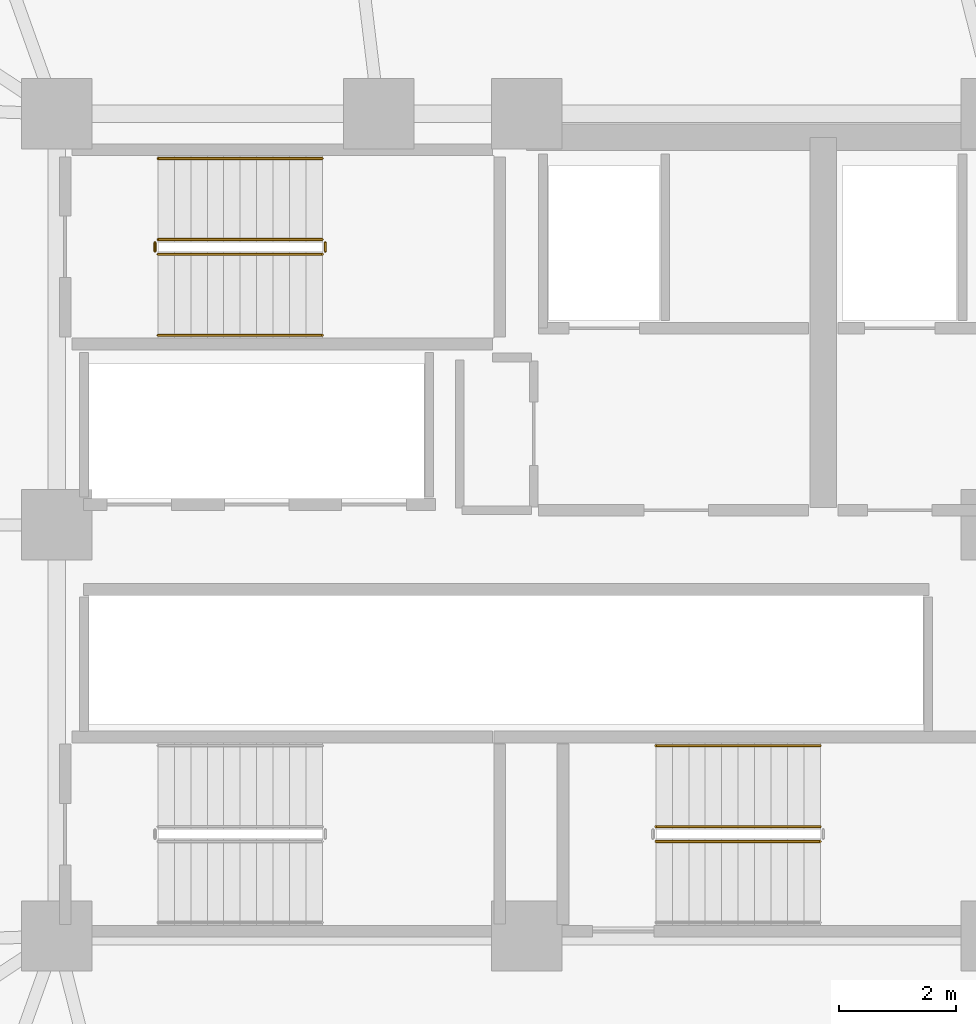
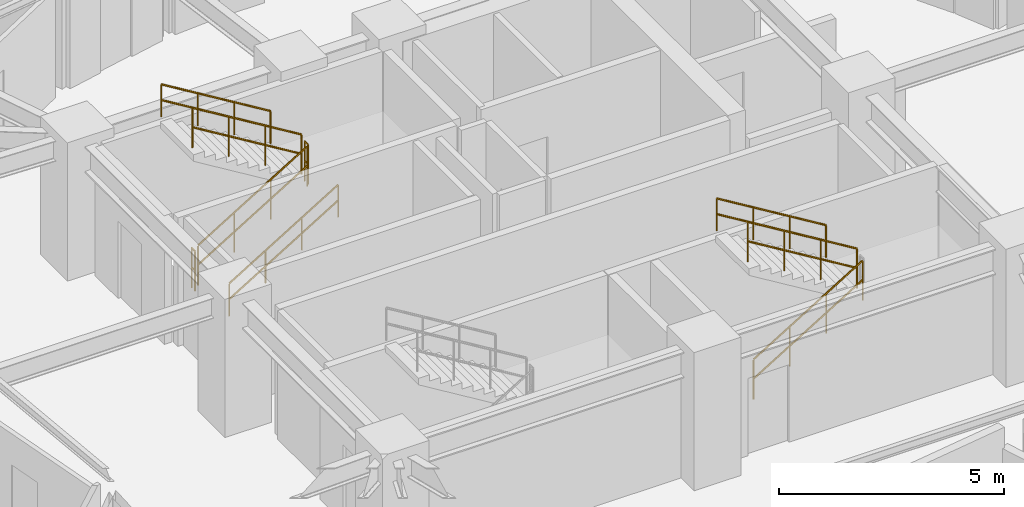
# One storey, part 35 of 37: 9 railings.
"""IFC4 building model written with IfcOpenShell, lengths in metres."""

from ifc_helpers import new_model, si_unit, direction, frame, origin, place, context, subcontext, project, spatial, polyline, outline, extrude, material, type_object, element, save


model = new_model("IFC4")

# Units and contexts
model_context = context("Model", 3, precision=1e-05, world=origin(), true_north=direction((0.0, 1.0)))
body_context = subcontext(model_context, "Body", "Model", "MODEL_VIEW")
ifc_project = project(units=[si_unit("LENGTHUNIT", "METRE"), si_unit("AREAUNIT", "SQUARE_METRE"), si_unit("VOLUMEUNIT", "CUBIC_METRE"), si_unit("PLANEANGLEUNIT", "RADIAN"), si_unit("MASSUNIT", "GRAM", prefix="KILO")], contexts=[model_context])

# Site, building, storey
site_placement = place(None, origin())
site = spatial("IfcSite", under=ifc_project, at=site_placement, CompositionType="ELEMENT")
building_placement = place(site_placement, origin())
building = spatial("IfcBuilding", under=site, at=building_placement, Name="Kelanora Arch Commons", CompositionType="ELEMENT")
storey_placement = place(building_placement, frame((0.0, 0.0, 110.10009765625)))
storey = spatial("IfcBuildingStorey", under=building, at=storey_placement, Name="L28", CompositionType="ELEMENT", Elevation=110.10009765625)

# Railings
ifc_material_1 = material(Name="Painted steel stair well guard", Category="steel")
railing_type_1 = type_object("IfcRailingType", Name="RAIL-STAIR-GRD", PredefinedType="GUARDRAIL", material=ifc_material_1)
railing_1_placement = place(storey_placement, frame((67.719970703125, 62.610107421875, 0.17041015625)))
element("IfcRailing", 1, at=railing_1_placement, inside=storey, type_object=railing_type_1, Name="L28 ST-T1 stair guard 1", PredefinedType="GUARDRAIL", context=body_context, shape_type="SweptSolid", body=[
    extrude(outline(polyline([(0.02392578125, 0.0), (0.011962890625, 0.020751953125), (-0.011962890625, 0.020751953125), (-0.02392578125, 0.0), (-0.011962890625, -0.020751953125), (0.011962890625, -0.020751953125), (0.02392578125, 0.0)])), frame((0.0, 0.0, 1.076171875), z_axis=(0.854169791009, 0.0, 0.51999420009), x_axis=(0.0, 1.0, 0.0)), (0.0, 0.0, 1.0), 3.278076171875),
    extrude(outline(polyline([(0.02392578125, 0.0), (0.011962890625, 0.020751953125), (-0.011962890625, 0.020751953125), (-0.02392578125, 0.0), (-0.011962890625, -0.020751953125), (0.011962890625, -0.020751953125), (0.02392578125, 0.0)])), frame((0.0, 0.0, 0.550048828125), z_axis=(0.854169791009, 0.0, 0.51999420009), x_axis=(0.0, 1.0, 0.0)), (0.0, 0.0, 1.0), 3.278076171875),
    extrude(outline(polyline([(0.02099609375, 0.0), (0.010498046875, 0.01806640625), (-0.010498046875, 0.01806640625), (-0.02099609375, 0.0), (-0.010498046875, -0.01806640625), (0.010498046875, -0.01806640625), (0.02099609375, 0.0)])), origin(), (0.0, 0.0, 1.0), 1.052001953125),
    extrude(outline(polyline([(0.02099609375, 0.0), (0.010498046875, 0.01806640625), (-0.010498046875, 0.01806640625), (-0.02099609375, 0.0), (-0.010498046875, -0.01806640625), (0.010498046875, -0.01806640625), (0.02099609375, 0.0)])), frame((0.933349609375, 0.0, 0.568115234375)), (0.0, 0.0, 1.0), 1.052001953125),
    extrude(outline(polyline([(0.02099609375, 0.0), (0.010498046875, 0.01806640625), (-0.010498046875, 0.01806640625), (-0.02099609375, 0.0), (-0.010498046875, -0.01806640625), (0.010498046875, -0.01806640625), (0.02099609375, 0.0)])), frame((1.86669921875, 0.0, 1.136474609375)), (0.0, 0.0, 1.0), 1.052001953125),
    extrude(outline(polyline([(0.02099609375, 0.0), (0.010498046875, 0.01806640625), (-0.010498046875, 0.01806640625), (-0.02099609375, 0.0), (-0.010498046875, -0.01806640625), (0.010498046875, -0.01806640625), (0.02099609375, 0.0)])), frame((2.800048828125, 0.0, 1.70458984375)), (0.0, 0.0, 1.0), 1.052001953125),
])
railing_2_placement = place(storey_placement, frame((70.570068359375, 62.659912109375, 1.875)))
element("IfcRailing", 2, at=railing_2_placement, inside=storey, type_object=railing_type_1, Name="L28 ST-T1 stair guard 2", PredefinedType="GUARDRAIL", context=body_context, shape_type="SweptSolid", body=[
    extrude(outline(polyline([(0.02392578125, 0.0), (0.011962890625, 0.020751953125), (-0.011962890625, 0.020751953125), (-0.02392578125, 0.0), (-0.011962890625, -0.020751953125), (0.011962890625, -0.020751953125), (0.02392578125, 0.0)])), frame((0.0, 0.0, 1.076171875), z_axis=(0.0, 1.0, 0.0), x_axis=(-1.0, 0.0, 0.0)), (0.0, 0.0, 1.0), 0.150146484375),
    extrude(outline(polyline([(0.02392578125, 0.0), (0.011962890625, 0.020751953125), (-0.011962890625, 0.020751953125), (-0.02392578125, 0.0), (-0.011962890625, -0.020751953125), (0.011962890625, -0.020751953125), (0.02392578125, 0.0)])), frame((0.0, 0.0, 0.550048828125), z_axis=(0.0, 1.0, 0.0), x_axis=(-1.0, 0.0, 0.0)), (0.0, 0.0, 1.0), 0.150146484375),
    extrude(outline(polyline([(0.02099609375, 0.0), (0.010498046875, 0.01806640625), (-0.010498046875, 0.01806640625), (-0.02099609375, 0.0), (-0.010498046875, -0.01806640625), (0.010498046875, -0.01806640625), (0.02099609375, 0.0)])), origin(), (0.0, 0.0, 1.0), 1.052001953125),
    extrude(outline(polyline([(0.02099609375, 0.0), (0.010498046875, 0.01806640625), (-0.010498046875, 0.01806640625), (-0.02099609375, 0.0), (-0.010498046875, -0.01806640625), (0.010498046875, -0.01806640625), (0.02099609375, 0.0)])), frame((0.0, 0.150146484375, 0.0)), (0.0, 0.0, 1.0), 1.052001953125),
])
railing_3_placement = place(storey_placement, frame((70.52001953125, 62.860107421875, 2.04541015625)))
element("IfcRailing", 3, at=railing_3_placement, inside=storey, type_object=railing_type_1, Name="L28 ST-T1 stair guard 3", PredefinedType="GUARDRAIL", context=body_context, shape_type="SweptSolid", body=[
    extrude(outline(polyline([(0.02392578125, 0.0), (0.011962890625, 0.020751953125), (-0.011962890625, 0.020751953125), (-0.02392578125, 0.0), (-0.011962890625, -0.020751953125), (0.011962890625, -0.020751953125), (0.02392578125, 0.0)])), frame((0.0, 0.0, 1.076171875), z_axis=(-0.854169791009, 0.0, 0.51999420009), x_axis=(0.0, -1.0, 0.0)), (0.0, 0.0, 1.0), 3.278076171875),
    extrude(outline(polyline([(0.02392578125, 0.0), (0.011962890625, 0.020751953125), (-0.011962890625, 0.020751953125), (-0.02392578125, 0.0), (-0.011962890625, -0.020751953125), (0.011962890625, -0.020751953125), (0.02392578125, 0.0)])), frame((0.0, 0.0, 0.550048828125), z_axis=(-0.854169791009, 0.0, 0.51999420009), x_axis=(0.0, -1.0, 0.0)), (0.0, 0.0, 1.0), 3.278076171875),
    extrude(outline(polyline([(0.02099609375, 0.0), (0.010498046875, 0.01806640625), (-0.010498046875, 0.01806640625), (-0.02099609375, 0.0), (-0.010498046875, -0.01806640625), (0.010498046875, -0.01806640625), (0.02099609375, 0.0)])), origin(), (0.0, 0.0, 1.0), 1.052001953125),
    extrude(outline(polyline([(0.02099609375, 0.0), (0.010498046875, 0.01806640625), (-0.010498046875, 0.01806640625), (-0.02099609375, 0.0), (-0.010498046875, -0.01806640625), (0.010498046875, -0.01806640625), (0.02099609375, 0.0)])), frame((-0.933349609375, 0.0, 0.568115234375)), (0.0, 0.0, 1.0), 1.052001953125),
    extrude(outline(polyline([(0.02099609375, 0.0), (0.010498046875, 0.01806640625), (-0.010498046875, 0.01806640625), (-0.02099609375, 0.0), (-0.010498046875, -0.01806640625), (0.010498046875, -0.01806640625), (0.02099609375, 0.0)])), frame((-1.86669921875, 0.0, 1.136474609375)), (0.0, 0.0, 1.0), 1.052001953125),
    extrude(outline(polyline([(0.02099609375, 0.0), (0.010498046875, 0.01806640625), (-0.010498046875, 0.01806640625), (-0.02099609375, 0.0), (-0.010498046875, -0.01806640625), (0.010498046875, -0.01806640625), (0.02099609375, 0.0)])), frame((-2.800048828125, 0.0, 1.70458984375)), (0.0, 0.0, 1.0), 1.052001953125),
])
railing_4_placement = place(storey_placement, frame((67.669921875, 62.659912109375, 0.0)))
element("IfcRailing", 4, at=railing_4_placement, inside=storey, type_object=railing_type_1, Name="L28 ST-T1 stair guard 4", PredefinedType="GUARDRAIL", context=body_context, shape_type="SweptSolid", body=[
    extrude(outline(polyline([(0.02392578125, 0.0), (0.011962890625, 0.020751953125), (-0.011962890625, 0.020751953125), (-0.02392578125, 0.0), (-0.011962890625, -0.020751953125), (0.011962890625, -0.020751953125), (0.02392578125, 0.0)])), frame((0.0, 0.0, 1.076171875), z_axis=(0.0, 1.0, 0.0), x_axis=(-1.0, 0.0, 0.0)), (0.0, 0.0, 1.0), 0.150146484375),
    extrude(outline(polyline([(0.02392578125, 0.0), (0.011962890625, 0.020751953125), (-0.011962890625, 0.020751953125), (-0.02392578125, 0.0), (-0.011962890625, -0.020751953125), (0.011962890625, -0.020751953125), (0.02392578125, 0.0)])), frame((0.0, 0.0, 0.550048828125), z_axis=(0.0, 1.0, 0.0), x_axis=(-1.0, 0.0, 0.0)), (0.0, 0.0, 1.0), 0.150146484375),
    extrude(outline(polyline([(0.02099609375, 0.0), (0.010498046875, 0.01806640625), (-0.010498046875, 0.01806640625), (-0.02099609375, 0.0), (-0.010498046875, -0.01806640625), (0.010498046875, -0.01806640625), (0.02099609375, 0.0)])), origin(), (0.0, 0.0, 1.0), 1.052001953125),
    extrude(outline(polyline([(0.02099609375, 0.0), (0.010498046875, 0.01806640625), (-0.010498046875, 0.01806640625), (-0.02099609375, 0.0), (-0.010498046875, -0.01806640625), (0.010498046875, -0.01806640625), (0.02099609375, 0.0)])), frame((0.0, 0.150146484375, 0.0)), (0.0, 0.0, 1.0), 1.052001953125),
])
railing_5_placement = place(storey_placement, frame((76.199951171875, 52.610107421875, 0.17041015625)))
element("IfcRailing", 5, at=railing_5_placement, inside=storey, type_object=railing_type_1, Name="L28 ST-T2 stair guard 1", PredefinedType="GUARDRAIL", context=body_context, shape_type="SweptSolid", body=[
    extrude(outline(polyline([(0.02392578125, 0.0), (0.011962890625, 0.020751953125), (-0.011962890625, 0.020751953125), (-0.02392578125, 0.0), (-0.011962890625, -0.020751953125), (0.011962890625, -0.020751953125), (0.02392578125, 0.0)])), frame((0.0, 0.0, 1.076171875), z_axis=(0.854169791009, 0.0, 0.51999420009), x_axis=(0.0, 1.0, 0.0)), (0.0, 0.0, 1.0), 3.278076171875),
    extrude(outline(polyline([(0.02392578125, 0.0), (0.011962890625, 0.020751953125), (-0.011962890625, 0.020751953125), (-0.02392578125, 0.0), (-0.011962890625, -0.020751953125), (0.011962890625, -0.020751953125), (0.02392578125, 0.0)])), frame((0.0, 0.0, 0.550048828125), z_axis=(0.854169791009, 0.0, 0.51999420009), x_axis=(0.0, 1.0, 0.0)), (0.0, 0.0, 1.0), 3.278076171875),
    extrude(outline(polyline([(0.02099609375, 0.0), (0.010498046875, 0.01806640625), (-0.010498046875, 0.01806640625), (-0.02099609375, 0.0), (-0.010498046875, -0.01806640625), (0.010498046875, -0.01806640625), (0.02099609375, 0.0)])), origin(), (0.0, 0.0, 1.0), 1.052001953125),
    extrude(outline(polyline([(0.02099609375, 0.0), (0.010498046875, 0.01806640625), (-0.010498046875, 0.01806640625), (-0.02099609375, 0.0), (-0.010498046875, -0.01806640625), (0.010498046875, -0.01806640625), (0.02099609375, 0.0)])), frame((0.933349609375, 0.0, 0.568115234375)), (0.0, 0.0, 1.0), 1.052001953125),
    extrude(outline(polyline([(0.02099609375, 0.0), (0.010498046875, 0.01806640625), (-0.010498046875, 0.01806640625), (-0.02099609375, 0.0), (-0.010498046875, -0.01806640625), (0.010498046875, -0.01806640625), (0.02099609375, 0.0)])), frame((1.86669921875, 0.0, 1.136474609375)), (0.0, 0.0, 1.0), 1.052001953125),
    extrude(outline(polyline([(0.02099609375, 0.0), (0.010498046875, 0.01806640625), (-0.010498046875, 0.01806640625), (-0.02099609375, 0.0), (-0.010498046875, -0.01806640625), (0.010498046875, -0.01806640625), (0.02099609375, 0.0)])), frame((2.800048828125, 0.0, 1.70458984375)), (0.0, 0.0, 1.0), 1.052001953125),
])
railing_6_placement = place(storey_placement, frame((79.0, 52.860107421875, 2.04541015625)))
element("IfcRailing", 6, at=railing_6_placement, inside=storey, type_object=railing_type_1, Name="L28 ST-T2 stair guard 3", PredefinedType="GUARDRAIL", context=body_context, shape_type="SweptSolid", body=[
    extrude(outline(polyline([(0.02392578125, 0.0), (0.011962890625, 0.020751953125), (-0.011962890625, 0.020751953125), (-0.02392578125, 0.0), (-0.011962890625, -0.020751953125), (0.011962890625, -0.020751953125), (0.02392578125, 0.0)])), frame((0.0, 0.0, 1.076171875), z_axis=(-0.854169791009, 0.0, 0.51999420009), x_axis=(0.0, -1.0, 0.0)), (0.0, 0.0, 1.0), 3.278076171875),
    extrude(outline(polyline([(0.02392578125, 0.0), (0.011962890625, 0.020751953125), (-0.011962890625, 0.020751953125), (-0.02392578125, 0.0), (-0.011962890625, -0.020751953125), (0.011962890625, -0.020751953125), (0.02392578125, 0.0)])), frame((0.0, 0.0, 0.550048828125), z_axis=(-0.854169791009, 0.0, 0.51999420009), x_axis=(0.0, -1.0, 0.0)), (0.0, 0.0, 1.0), 3.278076171875),
    extrude(outline(polyline([(0.02099609375, 0.0), (0.010498046875, 0.01806640625), (-0.010498046875, 0.01806640625), (-0.02099609375, 0.0), (-0.010498046875, -0.01806640625), (0.010498046875, -0.01806640625), (0.02099609375, 0.0)])), origin(), (0.0, 0.0, 1.0), 1.052001953125),
    extrude(outline(polyline([(0.02099609375, 0.0), (0.010498046875, 0.01806640625), (-0.010498046875, 0.01806640625), (-0.02099609375, 0.0), (-0.010498046875, -0.01806640625), (0.010498046875, -0.01806640625), (0.02099609375, 0.0)])), frame((-0.933349609375, 0.0, 0.568115234375)), (0.0, 0.0, 1.0), 1.052001953125),
    extrude(outline(polyline([(0.02099609375, 0.0), (0.010498046875, 0.01806640625), (-0.010498046875, 0.01806640625), (-0.02099609375, 0.0), (-0.010498046875, -0.01806640625), (0.010498046875, -0.01806640625), (0.02099609375, 0.0)])), frame((-1.86669921875, 0.0, 1.136474609375)), (0.0, 0.0, 1.0), 1.052001953125),
    extrude(outline(polyline([(0.02099609375, 0.0), (0.010498046875, 0.01806640625), (-0.010498046875, 0.01806640625), (-0.02099609375, 0.0), (-0.010498046875, -0.01806640625), (0.010498046875, -0.01806640625), (0.02099609375, 0.0)])), frame((-2.800048828125, 0.0, 1.70458984375)), (0.0, 0.0, 1.0), 1.052001953125),
])
ifc_material_2 = material(Name="Brushed stainless steel stair handrail", Category="steel")
railing_type_2 = type_object("IfcRailingType", Name="RAIL-STAIR-HND", PredefinedType="HANDRAIL", material=ifc_material_2)
railing_7_placement = place(storey_placement, frame((67.719970703125, 61.22998046875, 0.17041015625)))
element("IfcRailing", 7, at=railing_7_placement, inside=storey, type_object=railing_type_2, Name="L28 ST-T1 stair handrail 1", PredefinedType="HANDRAIL", context=body_context, shape_type="SweptSolid", body=[
    extrude(outline(polyline([(0.02392578125, 0.0), (0.011962890625, 0.020751953125), (-0.011962890625, 0.020751953125), (-0.02392578125, 0.0), (-0.011962890625, -0.020751953125), (0.011962890625, -0.020751953125), (0.02392578125, 0.0)])), frame((0.0, 0.0, 0.8759765625), z_axis=(0.854169791009, 0.0, 0.51999420009), x_axis=(0.0, 1.0, 0.0)), (0.0, 0.0, 1.0), 3.278076171875),
    extrude(outline(polyline([(0.02392578125, 0.0), (0.011962890625, 0.020751953125), (-0.011962890625, 0.020751953125), (-0.02392578125, 0.0), (-0.011962890625, -0.020751953125), (0.011962890625, -0.020751953125), (0.02392578125, 0.0)])), frame((0.0, 0.0, 0.449951171875), z_axis=(0.854169791009, 0.0, 0.51999420009), x_axis=(0.0, 1.0, 0.0)), (0.0, 0.0, 1.0), 3.278076171875),
    extrude(outline(polyline([(0.02099609375, 0.0), (0.010498046875, 0.01806640625), (-0.010498046875, 0.01806640625), (-0.02099609375, 0.0), (-0.010498046875, -0.01806640625), (0.010498046875, -0.01806640625), (0.02099609375, 0.0)])), origin(), (0.0, 0.0, 1.0), 0.851806640625),
    extrude(outline(polyline([(0.02099609375, 0.0), (0.010498046875, 0.01806640625), (-0.010498046875, 0.01806640625), (-0.02099609375, 0.0), (-0.010498046875, -0.01806640625), (0.010498046875, -0.01806640625), (0.02099609375, 0.0)])), frame((0.933349609375, 0.0, 0.568115234375)), (0.0, 0.0, 1.0), 0.851806640625),
    extrude(outline(polyline([(0.02099609375, 0.0), (0.010498046875, 0.01806640625), (-0.010498046875, 0.01806640625), (-0.02099609375, 0.0), (-0.010498046875, -0.01806640625), (0.010498046875, -0.01806640625), (0.02099609375, 0.0)])), frame((1.86669921875, 0.0, 1.136474609375)), (0.0, 0.0, 1.0), 0.851806640625),
    extrude(outline(polyline([(0.02099609375, 0.0), (0.010498046875, 0.01806640625), (-0.010498046875, 0.01806640625), (-0.02099609375, 0.0), (-0.010498046875, -0.01806640625), (0.010498046875, -0.01806640625), (0.02099609375, 0.0)])), frame((2.800048828125, 0.0, 1.70458984375)), (0.0, 0.0, 1.0), 0.851806640625),
])
railing_8_placement = place(storey_placement, frame((70.52001953125, 64.239990234375, 2.04541015625)))
element("IfcRailing", 8, at=railing_8_placement, inside=storey, type_object=railing_type_2, Name="L28 ST-T1 stair handrail 2", PredefinedType="HANDRAIL", context=body_context, shape_type="SweptSolid", body=[
    extrude(outline(polyline([(0.02392578125, 0.0), (0.011962890625, 0.020751953125), (-0.011962890625, 0.020751953125), (-0.02392578125, 0.0), (-0.011962890625, -0.020751953125), (0.011962890625, -0.020751953125), (0.02392578125, 0.0)])), frame((0.0, 0.0, 0.8759765625), z_axis=(-0.854169791009, 0.0, 0.51999420009), x_axis=(0.0, -1.0, 0.0)), (0.0, 0.0, 1.0), 3.278076171875),
    extrude(outline(polyline([(0.02392578125, 0.0), (0.011962890625, 0.020751953125), (-0.011962890625, 0.020751953125), (-0.02392578125, 0.0), (-0.011962890625, -0.020751953125), (0.011962890625, -0.020751953125), (0.02392578125, 0.0)])), frame((0.0, 0.0, 0.449951171875), z_axis=(-0.854169791009, 0.0, 0.51999420009), x_axis=(0.0, -1.0, 0.0)), (0.0, 0.0, 1.0), 3.278076171875),
    extrude(outline(polyline([(0.02099609375, 0.0), (0.010498046875, 0.01806640625), (-0.010498046875, 0.01806640625), (-0.02099609375, 0.0), (-0.010498046875, -0.01806640625), (0.010498046875, -0.01806640625), (0.02099609375, 0.0)])), origin(), (0.0, 0.0, 1.0), 0.851806640625),
    extrude(outline(polyline([(0.02099609375, 0.0), (0.010498046875, 0.01806640625), (-0.010498046875, 0.01806640625), (-0.02099609375, 0.0), (-0.010498046875, -0.01806640625), (0.010498046875, -0.01806640625), (0.02099609375, 0.0)])), frame((-0.933349609375, 0.0, 0.568115234375)), (0.0, 0.0, 1.0), 0.851806640625),
    extrude(outline(polyline([(0.02099609375, 0.0), (0.010498046875, 0.01806640625), (-0.010498046875, 0.01806640625), (-0.02099609375, 0.0), (-0.010498046875, -0.01806640625), (0.010498046875, -0.01806640625), (0.02099609375, 0.0)])), frame((-1.86669921875, 0.0, 1.136474609375)), (0.0, 0.0, 1.0), 0.851806640625),
    extrude(outline(polyline([(0.02099609375, 0.0), (0.010498046875, 0.01806640625), (-0.010498046875, 0.01806640625), (-0.02099609375, 0.0), (-0.010498046875, -0.01806640625), (0.010498046875, -0.01806640625), (0.02099609375, 0.0)])), frame((-2.800048828125, 0.0, 1.70458984375)), (0.0, 0.0, 1.0), 0.851806640625),
])
railing_9_placement = place(storey_placement, frame((79.0, 54.239990234375, 2.04541015625)))
element("IfcRailing", 9, at=railing_9_placement, inside=storey, type_object=railing_type_2, Name="L28 ST-T2 stair handrail 2", PredefinedType="HANDRAIL", context=body_context, shape_type="SweptSolid", body=[
    extrude(outline(polyline([(0.02392578125, 0.0), (0.011962890625, 0.020751953125), (-0.011962890625, 0.020751953125), (-0.02392578125, 0.0), (-0.011962890625, -0.020751953125), (0.011962890625, -0.020751953125), (0.02392578125, 0.0)])), frame((0.0, 0.0, 0.8759765625), z_axis=(-0.854169791009, 0.0, 0.51999420009), x_axis=(0.0, -1.0, 0.0)), (0.0, 0.0, 1.0), 3.278076171875),
    extrude(outline(polyline([(0.02392578125, 0.0), (0.011962890625, 0.020751953125), (-0.011962890625, 0.020751953125), (-0.02392578125, 0.0), (-0.011962890625, -0.020751953125), (0.011962890625, -0.020751953125), (0.02392578125, 0.0)])), frame((0.0, 0.0, 0.449951171875), z_axis=(-0.854169791009, 0.0, 0.51999420009), x_axis=(0.0, -1.0, 0.0)), (0.0, 0.0, 1.0), 3.278076171875),
    extrude(outline(polyline([(0.02099609375, 0.0), (0.010498046875, 0.01806640625), (-0.010498046875, 0.01806640625), (-0.02099609375, 0.0), (-0.010498046875, -0.01806640625), (0.010498046875, -0.01806640625), (0.02099609375, 0.0)])), origin(), (0.0, 0.0, 1.0), 0.851806640625),
    extrude(outline(polyline([(0.02099609375, 0.0), (0.010498046875, 0.01806640625), (-0.010498046875, 0.01806640625), (-0.02099609375, 0.0), (-0.010498046875, -0.01806640625), (0.010498046875, -0.01806640625), (0.02099609375, 0.0)])), frame((-0.933349609375, 0.0, 0.568115234375)), (0.0, 0.0, 1.0), 0.851806640625),
    extrude(outline(polyline([(0.02099609375, 0.0), (0.010498046875, 0.01806640625), (-0.010498046875, 0.01806640625), (-0.02099609375, 0.0), (-0.010498046875, -0.01806640625), (0.010498046875, -0.01806640625), (0.02099609375, 0.0)])), frame((-1.86669921875, 0.0, 1.136474609375)), (0.0, 0.0, 1.0), 0.851806640625),
    extrude(outline(polyline([(0.02099609375, 0.0), (0.010498046875, 0.01806640625), (-0.010498046875, 0.01806640625), (-0.02099609375, 0.0), (-0.010498046875, -0.01806640625), (0.010498046875, -0.01806640625), (0.02099609375, 0.0)])), frame((-2.800048828125, 0.0, 1.70458984375)), (0.0, 0.0, 1.0), 0.851806640625),
])

save(model, "model.ifc")
